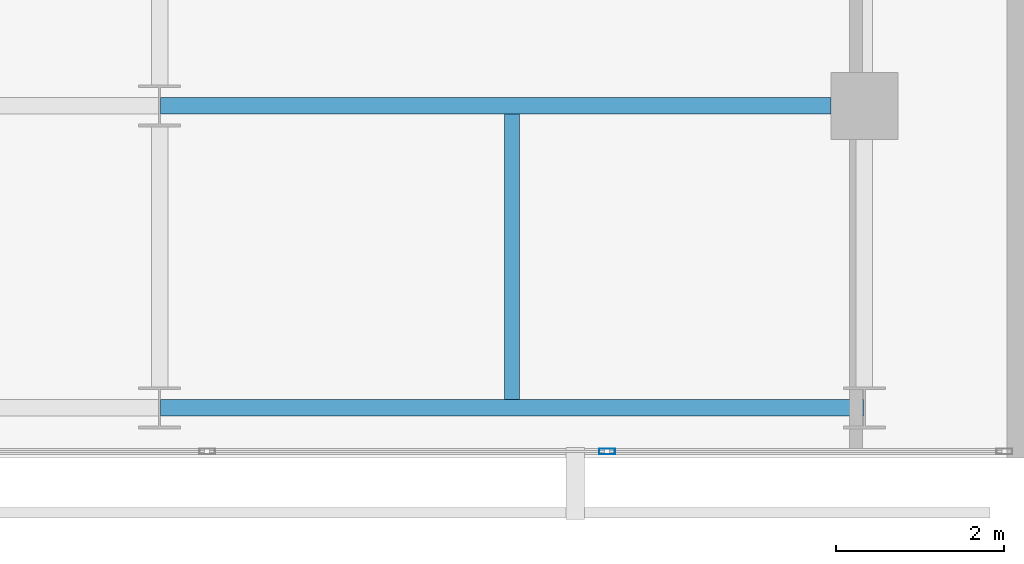
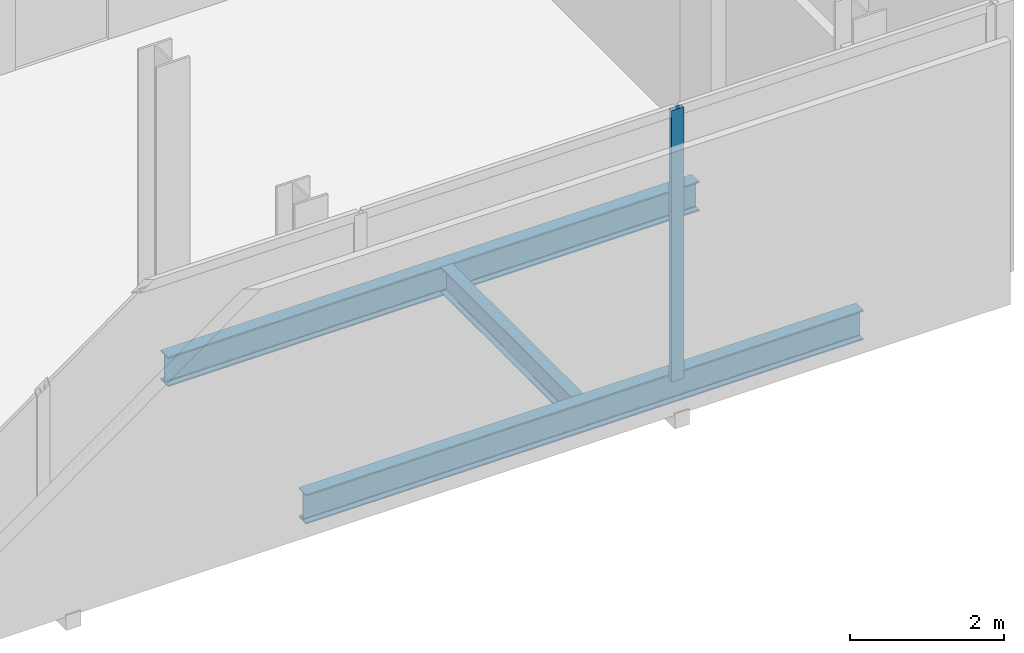
# One storey, part 5 of 23: 3 beams, 1 member, 1 element without a shape of its own.
"""IFC4 building model written with IfcOpenShell, lengths in metres."""

import ifcopenshell
import ifcopenshell.guid

model = None  # the IFC model being written
_history = None  # IfcOwnerHistory: only IFC2X3 demands one
_inside = {}  # id of a spatial element -> (the spatial element, [elements in it])
_under = {}  # id of a project, library or spatial element -> (it, [spatial elements below it])
_declared = {}  # id of a project -> (the project, [libraries it declares])
_typed = {}  # id of a type object -> (the type object, [elements of that type])
_made_of = {}  # id of a material, layer set ... -> (it, [elements and type objects made of it])


def new_model(schema):
    """Start an empty IFC model of exactly this schema.

    Asked for "IFC4X3", IfcOpenShell would pick the latest addendum, in which some entities
    have other attributes; the version numbers below select the first issue.
    IFC2X3 requires an IfcOwnerHistory on every rooted entity: one is made here for all.
    """
    global model, _history
    if schema == "IFC4X3":
        model = ifcopenshell.file(schema_version=(4, 3, 0, 0))
    else:
        model = ifcopenshell.file(schema=schema)
    _inside.clear()
    _under.clear()
    _declared.clear()
    _typed.clear()
    _made_of.clear()
    _history = None
    if model.schema == "IFC2X3":
        org = make("IfcOrganization", Name="unknown")
        user = make(
            "IfcPersonAndOrganization",
            ThePerson=make("IfcPerson", FamilyName="unknown"),
            TheOrganization=org,
        )
        app = make(
            "IfcApplication",
            ApplicationDeveloper=org,
            Version="unknown",
            ApplicationFullName="unknown",
            ApplicationIdentifier="unknown",
        )
        _history = make(
            "IfcOwnerHistory",
            OwningUser=user,
            OwningApplication=app,
            ChangeAction="ADDED",
            CreationDate=0,
        )
    return model


def make(cls, **values):
    """One entity of the class cls with the attributes given. An attribute that is None is left unset."""
    return model.create_entity(
        cls, **{name: value for name, value in values.items() if value is not None}
    )


def rooted(cls, **values):
    """An entity with a GlobalId (a new one), such as an element, a storey or a relation."""
    return make(cls, GlobalId=ifcopenshell.guid.new(), OwnerHistory=_history, **values)


def si_unit(unit_type, name, prefix=None):
    """IfcSIUnit, for example si_unit("LENGTHUNIT", "METRE", prefix="MILLI")."""
    return make("IfcSIUnit", UnitType=unit_type, Prefix=prefix, Name=name)


def assignment(units):
    """IfcUnitAssignment: the units of a project."""
    return None if units is None else make("IfcUnitAssignment", Units=units)


def point(xyz):
    """IfcCartesianPoint."""
    return None if xyz is None else make("IfcCartesianPoint", Coordinates=xyz)


def direction(xyz):
    """IfcDirection."""
    return None if xyz is None else make("IfcDirection", DirectionRatios=xyz)


def frame(location, z_axis=None, x_axis=None):
    """IfcAxis2Placement3D, a coordinate frame: its origin and axes. An axis left out is left unset."""
    return make(
        "IfcAxis2Placement3D",
        Location=point(location),
        Axis=direction(z_axis),
        RefDirection=direction(x_axis),
    )


def frame_2d(location, x_axis=None):
    """IfcAxis2Placement2D, a coordinate frame in the plane: its origin and x axis."""
    return make(
        "IfcAxis2Placement2D", Location=point(location), RefDirection=direction(x_axis)
    )


def origin():
    """The frame at (0, 0, 0) with its axes left unset."""
    return frame((0.0, 0.0, 0.0))


def origin_2d():
    """The frame at (0, 0) in the plane with its x axis left unset."""
    return frame_2d((0.0, 0.0))


def place(relative_to, where):
    """IfcLocalPlacement: puts the frame where relative to a parent placement (None: the world)."""
    return make(
        "IfcLocalPlacement", PlacementRelTo=relative_to, RelativePlacement=where
    )


def context(
    kind, dimensions, precision=None, world=None, true_north=None, identifier=None
):
    """IfcGeometricRepresentationContext, for example the 3D "Model" context."""
    return make(
        "IfcGeometricRepresentationContext",
        ContextIdentifier=identifier,
        ContextType=kind,
        CoordinateSpaceDimension=dimensions,
        Precision=precision,
        WorldCoordinateSystem=world,
        TrueNorth=true_north,
    )


def subcontext(parent, identifier, kind, view, scale=None):
    """IfcGeometricRepresentationSubContext, for example "Body" below "Model"."""
    return make(
        "IfcGeometricRepresentationSubContext",
        ContextIdentifier=identifier,
        ContextType=kind,
        ParentContext=parent,
        TargetScale=scale,
        TargetView=view,
    )


def project(units=None, contexts=None):
    """IfcProject with its units and contexts."""
    return rooted(
        "IfcProject",
        Name="project",
        RepresentationContexts=contexts,
        UnitsInContext=assignment(units),
    )


def spatial(cls, under=None, at=None, **own):
    """A site, building, storey or space (cls), placed at a placement, below another one or the project."""
    s = rooted(cls, ObjectPlacement=at, **own)
    if under is not None:
        _under.setdefault(under.id(), (under, []))[1].append(s)
    return s


def profile(cls, at=None, kind="AREA", **sizes):
    """A parametric profile (cls). Its sizes go by their IFC names, for example OverallWidth=200.0."""
    return make(cls, ProfileType=kind, Position=at, **sizes)


def hollow_rectangle(**sizes):
    """IfcRectangleHollowProfileDef."""
    return profile("IfcRectangleHollowProfileDef", **sizes)


def i_section(**sizes):
    """IfcIShapeProfileDef."""
    return profile("IfcIShapeProfileDef", **sizes)


def extrude(swept, where, along, depth):
    """IfcExtrudedAreaSolid: the profile swept, set in the frame where, extruded along a direction by depth."""
    return make(
        "IfcExtrudedAreaSolid",
        SweptArea=swept,
        Position=where,
        ExtrudedDirection=direction(along),
        Depth=depth,
    )


def shape(context_of_items, identifier, shape_type, items):
    """IfcShapeRepresentation: the items that make up one representation, for example the "Body"."""
    return make(
        "IfcShapeRepresentation",
        ContextOfItems=context_of_items,
        RepresentationIdentifier=identifier,
        RepresentationType=shape_type,
        Items=items,
    )


def material(Name=None, Category=None):
    """IfcMaterial."""
    return make("IfcMaterial", Name=Name, Category=Category)


def layer(
    of_material, thickness, ventilated=None, Name=None, Category=None, Priority=None
):
    """IfcMaterialLayer: one layer of a wall or slab, of a material (None: an air gap)."""
    return make(
        "IfcMaterialLayer",
        Material=of_material,
        LayerThickness=thickness,
        IsVentilated=ventilated,
        Name=Name,
        Category=Category,
        Priority=Priority,
    )


def layer_set(layers, Name=None):
    """IfcMaterialLayerSet."""
    return make("IfcMaterialLayerSet", MaterialLayers=layers, LayerSetName=Name)


def material_profile(
    of_material, cross_section, Name=None, Category=None, Priority=None
):
    """IfcMaterialProfile: a cross section and its material."""
    return make(
        "IfcMaterialProfile",
        Name=Name,
        Material=of_material,
        Profile=cross_section,
        Priority=Priority,
        Category=Category,
    )


def profile_set(profiles, Name=None, composite=None):
    """IfcMaterialProfileSet."""
    return make(
        "IfcMaterialProfileSet",
        Name=Name,
        MaterialProfiles=profiles,
        CompositeProfile=composite,
    )


def made_of(thing, what):
    """Note that an element or type object is made of a material, layer set ...; save() writes the relation."""
    if what is not None:
        _made_of.setdefault(what.id(), (what, []))[1].append(thing)
    return thing


def type_object(cls, material=None, **own):
    """A type object (cls), such as IfcWallType, which elements share."""
    return made_of(rooted(cls, **own), material)


def element(
    cls,
    number,
    at=None,
    inside=None,
    cuts=None,
    type_object=None,
    material=None,
    context=None,
    identifier="Body",
    shape_type=None,
    held_by="IfcProductDefinitionShape",
    body=None,
    shapes=None,
    **own,
):
    """One element of the class cls, such as IfcWall. Its Tag is "e" and its number.

    at: its placement. inside: the storey or other place that contains it. cuts: it is an
    opening in that element (IfcRelVoidsElement). A single representation is given by context,
    identifier, shape_type and body (its items); several are given by shapes. held_by: the class
    of the entity that holds the representations. save() writes the other relations.
    """
    e = rooted(cls, Tag="e%d" % number, ObjectPlacement=at, **own)
    if body is not None:
        shapes = [shape(context, identifier, shape_type, body)]
    if shapes is not None:
        e.Representation = make(held_by, Representations=shapes)
    if inside is not None:
        _inside.setdefault(inside.id(), (inside, []))[1].append(e)
    if cuts is not None:
        rooted(
            "IfcRelVoidsElement", RelatingBuildingElement=cuts, RelatedOpeningElement=e
        )
    if type_object is not None:
        _typed.setdefault(type_object.id(), (type_object, []))[1].append(e)
    return made_of(e, material)


def aggregate(whole, parts):
    """IfcRelAggregates: a whole, such as a stair, and the parts it consists of."""
    return rooted("IfcRelAggregates", RelatingObject=whole, RelatedObjects=parts)


def save(model, path):
    """Write the relations noted so far, then the file.

    IfcRelAggregates (storeys below a building ...), IfcRelContainedInSpatialStructure (elements
    in a storey), IfcRelDefinesByType, IfcRelAssociatesMaterial and IfcRelDeclares: one each for
    every whole, place, type object, material and project.
    """
    for whole, parts in _under.values():
        aggregate(whole, parts)
    for where, things in _inside.values():
        rooted(
            "IfcRelContainedInSpatialStructure",
            RelatedElements=things,
            RelatingStructure=where,
        )
    for kind, things in _typed.values():
        rooted("IfcRelDefinesByType", RelatedObjects=things, RelatingType=kind)
    for what, things in _made_of.values():
        rooted("IfcRelAssociatesMaterial", RelatedObjects=things, RelatingMaterial=what)
    for by, libraries in _declared.values():
        rooted("IfcRelDeclares", RelatingContext=by, RelatedDefinitions=libraries)
    model.write(path)


model = new_model("IFC4")

# Units and contexts
model_context = context("Model", 3, precision=1e-05, world=origin(), true_north=direction((0.0, 1.0)))
body_context = subcontext(model_context, "Body", "Model", "MODEL_VIEW")
ifc_project = project(units=[si_unit("LENGTHUNIT", "METRE"), si_unit("AREAUNIT", "SQUARE_METRE"), si_unit("VOLUMEUNIT", "CUBIC_METRE"), si_unit("PLANEANGLEUNIT", "RADIAN"), si_unit("MASSUNIT", "GRAM", prefix="KILO")], contexts=[model_context])

# Site, building, storey
site_placement = place(None, origin())
site = spatial("IfcSite", under=ifc_project, at=site_placement, CompositionType="ELEMENT")
building_placement = place(site_placement, origin())
building = spatial("IfcBuilding", under=site, at=building_placement, Name="Maruvema Waterfront Hotel and Observation Tower", CompositionType="ELEMENT")
storey_placement = place(building_placement, frame((0.0, 0.0, 345.10009765625)))
storey = spatial("IfcBuildingStorey", under=building, at=storey_placement, Name="L85", CompositionType="ELEMENT", Elevation=345.10009765625)

# Curtain wall, member
ifc_material_1 = material(Name="Anodised bronze aluminium and solar-control low-E IGU", Category="aluminium")
ifc_layer = layer(ifc_material_1, 0.159912109375, Name="Observation Crown Structural Glazed Curtain Wall System CW-06")
ifc_layer_set = layer_set([ifc_layer], Name="Anodised bronze aluminium and solar-control low-E IGU")
curtain_wall_type = type_object("IfcCurtainWallType", Name="Observation Crown Structural Glazed Curtain Wall System CW-06", PredefinedType="USERDEFINED", material=ifc_layer_set)
curtain_wall_placement = place(storey_placement, origin())
curtain_wall = element("IfcCurtainWall", 1, at=curtain_wall_placement, inside=storey, type_object=curtain_wall_type, Name="L85 Curtain Wall CW-L85-S", ObjectType="UNITISED CURTAIN WALL", PredefinedType="USERDEFINED")
ifc_material_2 = material(Name="Anodised architectural bronze aluminium", Category="aluminium")
ifc_material_profile_1 = material_profile(ifc_material_2, hollow_rectangle(XDim=0.070068359375, YDim=0.18994140625, WallThickness=0.00390625, at=origin_2d()), Name="ALU-M70x190")
ifc_profile_set_1 = profile_set([ifc_material_profile_1], Name="Anodised architectural bronze aluminium")
member_type = type_object("IfcMemberType", Name="Podium Storefront Heavy Mullion ALU-M70x190", PredefinedType="MULLION", material=ifc_profile_set_1)
member_placement = place(storey_placement, frame((47.333251953125, 13.8798828125, 0.0), z_axis=(0.0, 0.0, 1.0), x_axis=(0.0, 1.0, 0.0)))
member = element("IfcMember", 2, at=member_placement, type_object=member_type, Name="CW-06 mullion 6", PredefinedType="MULLION", context=body_context, shape_type="SweptSolid", body=[
    extrude(hollow_rectangle(XDim=0.070068359375, YDim=0.18994140625, WallThickness=0.00390625, at=origin_2d()), origin(), (0.0, 0.0, 1.0), 4.309814453125),
])
aggregate(curtain_wall, [member])

# Beams
ifc_material_3 = material(Name="Steel ASTM A572 Grade 50", Category="steel")
ifc_material_profile_2 = material_profile(ifc_material_3, i_section(OverallWidth=0.194091796875, OverallDepth=0.468994140625, WebThickness=0.0126953125, FlangeThickness=0.0205078125, FilletRadius=0.014892578125, at=origin_2d()), Name="W460x106.0")
ifc_profile_set_2 = profile_set([ifc_material_profile_2], Name="Steel ASTM A572 Grade 50")
beam_type_1 = type_object("IfcBeamType", Name="Primary Floor Girder W460x106.0", PredefinedType="BEAM", material=ifc_profile_set_2)
beam_1_placement = place(storey_placement, frame((42.010986328125, 14.39990234375, -0.474609375), z_axis=(1.0, 0.0, 0.0), x_axis=(0.0, 1.0, 0.0)))
element("IfcBeam", 3, at=beam_1_placement, inside=storey, type_object=beam_type_1, Name="L85 Floor Girder EW-03", PredefinedType="BEAM", context=body_context, shape_type="SweptSolid", body=[
    extrude(i_section(OverallWidth=0.194091796875, OverallDepth=0.468994140625, WebThickness=0.0126953125, FlangeThickness=0.0205078125, FilletRadius=0.014892578125, at=origin_2d()), origin(), (0.0, 0.0, 1.0), 8.3779296875),
])
beam_2_placement = place(storey_placement, frame((42.010986328125, 18.0, -0.474609375), z_axis=(1.0, 0.0, 0.0), x_axis=(0.0, 1.0, 0.0)))
element("IfcBeam", 4, at=beam_2_placement, inside=storey, type_object=beam_type_1, Name="L85 Floor Girder EW-06", PredefinedType="BEAM", context=body_context, shape_type="SweptSolid", body=[
    extrude(i_section(OverallWidth=0.194091796875, OverallDepth=0.468994140625, WebThickness=0.0126953125, FlangeThickness=0.0205078125, FilletRadius=0.014892578125, at=origin_2d()), origin(), (0.0, 0.0, 1.0), 7.989013671875),
])
ifc_material_4 = material(Name="Steel ASTM A572 Grade 50", Category="steel")
ifc_material_profile_3 = material_profile(ifc_material_4, i_section(OverallWidth=0.177001953125, OverallDepth=0.403076171875, WebThickness=0.007568359375, FlangeThickness=0.010986328125, FilletRadius=0.014892578125, at=origin_2d()), Name="W410x53.0")
ifc_profile_set_3 = profile_set([ifc_material_profile_3], Name="Steel ASTM A572 Grade 50")
beam_type_2 = type_object("IfcBeamType", Name="Secondary Floor Joist W410x53.0", PredefinedType="JOIST", material=ifc_profile_set_3)
beam_3_placement = place(storey_placement, frame((46.199951171875, 14.4970703125, -0.441650390625), z_axis=(0.0, 1.0, 0.0), x_axis=(-1.0, 0.0, 0.0)))
element("IfcBeam", 5, at=beam_3_placement, inside=storey, type_object=beam_type_2, Name="L85 Secondary Floor Joist JS-05", PredefinedType="JOIST", context=body_context, shape_type="SweptSolid", body=[
    extrude(i_section(OverallWidth=0.177001953125, OverallDepth=0.403076171875, WebThickness=0.007568359375, FlangeThickness=0.010986328125, FilletRadius=0.014892578125, at=origin_2d()), origin(), (0.0, 0.0, 1.0), 3.406005859375),
])

save(model, "model.ifc")
